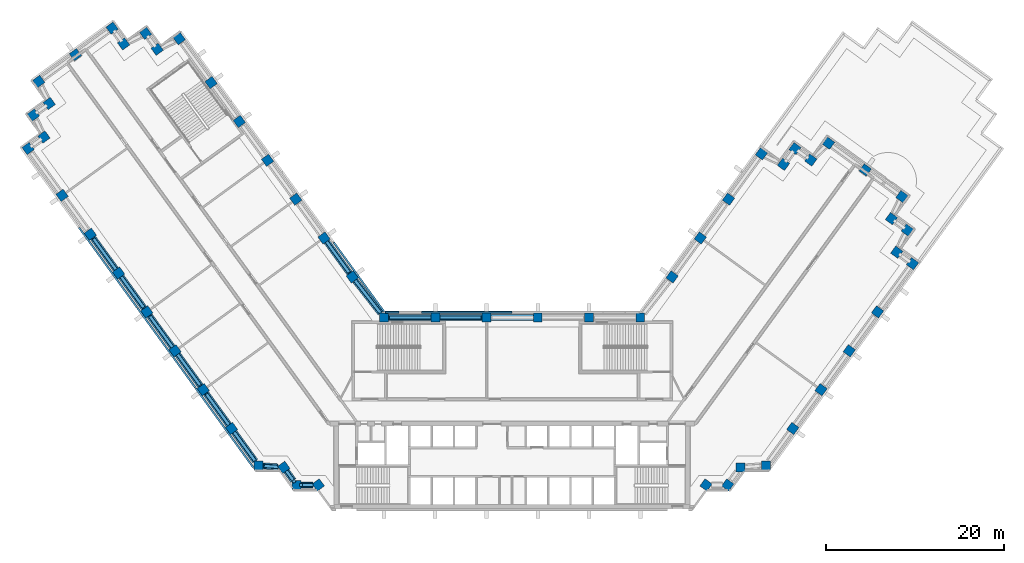
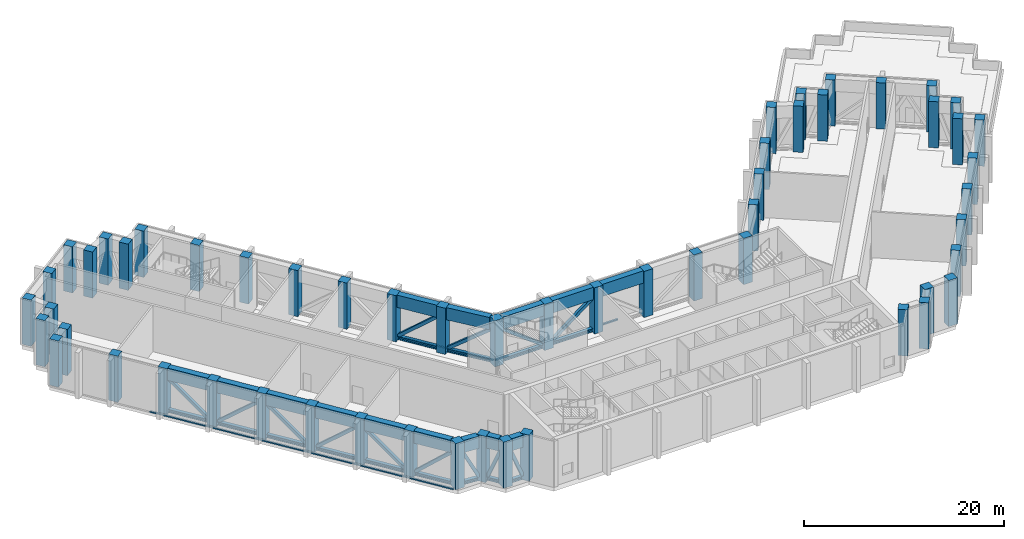
"""IFC4 building model written with IfcOpenShell, lengths in metres."""

from ifc_helpers import new_model, si_unit, direction, frame, origin, origin_2d, place, context, subcontext, project, spatial, rectangle, hollow_rectangle, i_section, extrude, material, material_profile, profile_set, type_object, element, aggregate, save


model = new_model("IFC4")

# Units and contexts
model_context = context("Model", 3, precision=1e-05, world=origin(), true_north=direction((0.0, 1.0)))
body_context = subcontext(model_context, "Body", "Model", "MODEL_VIEW")
ifc_project = project(units=[si_unit("LENGTHUNIT", "METRE"), si_unit("AREAUNIT", "SQUARE_METRE"), si_unit("VOLUMEUNIT", "CUBIC_METRE"), si_unit("PLANEANGLEUNIT", "RADIAN"), si_unit("MASSUNIT", "GRAM", prefix="KILO")], contexts=[model_context])

# Site, building, storey
site_placement = place(None, origin())
site = spatial("IfcSite", under=ifc_project, at=site_placement, CompositionType="ELEMENT")
building_placement = place(site_placement, origin())
building = spatial("IfcBuilding", under=site, at=building_placement, Name="Quipu Civic Tower", CompositionType="ELEMENT")
storey_1_placement = place(building_placement, frame((0.0, 0.0, 79.0)))
storey_1 = spatial("IfcBuildingStorey", under=building, at=storey_1_placement, Name="L18", CompositionType="ELEMENT", Elevation=79.0)

# Columns
ifc_material_1 = material(Name="Concrete C60/75", Category="concrete")
ifc_material_profile_1 = material_profile(ifc_material_1, rectangle(XDim=1.0, YDim=1.0, at=origin_2d()), Name="RC1000x1000")
ifc_profile_set_1 = profile_set([ifc_material_profile_1], Name="Concrete C60/75")
column_type = type_object("IfcColumnType", Name="Perimeter column RC 1000x1000 C60/75", PredefinedType="COLUMN", material=ifc_profile_set_1)
for number, where, z_axis, x_axis, name in (
    (1, (-17.9736328125, 15.074951171875, 0.0), (0.0, 0.0, 1.0), (-0.587785252292, 0.809016994375, 0.0), "Column L18 W-IN-01"),
    (2, (-21.1474609375, 19.44384765625, 0.0), (0.0, 0.0, 1.0), (-0.587785252292, 0.809016994375, 0.0), "Column L18 W-IN-02"),
    (3, (-24.3212890625, 23.8125, 0.0), (0.0, 0.0, 1.0), (-0.587785252292, 0.809016994375, 0.0), "Column L18 W-IN-03"),
    (4, (-27.4951171875, 28.181396484375, 0.0), (0.0, 0.0, 1.0), (-0.587785252292, 0.809016994375, 0.0), "Column L18 W-IN-04"),
    (5, (-30.6689453125, 32.55029296875, 0.0), (0.0, 0.0, 1.0), (-0.587785252292, 0.809016994375, 0.0), "Column L18 W-IN-05"),
    (6, (-33.843017578125, 36.919189453125, 0.0), (0.0, 0.0, 1.0), (-0.587785252292, 0.809016994375, 0.0), "Column L18 W-IN-06"),
    (7, (-37.425048828125, 41.85009765625, 0.0), (0.0, 0.0, 1.0), (-0.587785252292, 0.809016994375, 0.0), "Column L18 T-Wi.0-W50"),
    (8, (-39.905517578125, 40.666015625, 0.0), (0.0, 0.0, 1.0), (-0.587785252292, 0.809016994375, 0.0), "Column L18 T-Wi.1-W50"),
    (9, (-41.199951171875, 42.445068359375, 0.0), (0.0, 0.0, 1.0), (-0.587785252292, 0.809016994375, 0.0), "Column L18 T-Wi.2-W50"),
    (10, (-43.674560546875, 41.264892578125, 0.0), (0.0, 0.0, 1.0), (-0.809016994375, -0.587785252292, 0.0), "Column L18 T-Wi.3-W50"),
    (11, (-44.969970703125, 43.044921875, 0.0), (0.0, 0.0, 1.0), (-0.809016994375, -0.587785252292, 0.0), "Column L18 T-Wi.4-W50"),
    (12, (-49.095703125, 40.046875, 0.0), (0.0, 0.0, 1.0), (-0.809016994375, -0.587785252292, 0.0), "Column L18 TIP-W-01-W50"),
    (13, (-53.219970703125, 37.050048828125, 0.0), (0.0, 0.0, 1.0), (0.587785252292, -0.809016994375, 0.0), "Column L18 T-Wo.0-W50"),
    (14, (-52.038818359375, 34.571044921875, 0.0), (0.0, 0.0, 1.0), (-0.809016994375, -0.587785252292, 0.0), "Column L18 T-Wo.1-W50"),
    (15, (-53.820068359375, 33.27490234375, 0.0), (0.0, 0.0, 1.0), (0.587785252292, -0.809016994375, 0.0), "Column L18 T-Wo.2-W50"),
    (16, (-52.635986328125, 30.799560546875, 0.0), (0.0, 0.0, 1.0), (-0.809016994375, -0.587785252292, 0.0), "Column L18 T-Wo.3-W50"),
    (17, (-54.4150390625, 29.5048828125, 0.0), (0.0, 0.0, 1.0), (0.587785252292, -0.809016994375, 0.0), "Column L18 T-Wo.4-W50"),
    (18, (-50.59228515625, 24.243408203125, 0.0), (0.0, 0.0, 1.0), (0.587785252292, -0.809016994375, 0.0), "Column L18 W-OUT-07"),
    (19, (-47.41845703125, 19.874755859375, 0.0), (0.0, 0.0, 1.0), (0.587785252292, -0.809016994375, 0.0), "Column L18 W-OUT-06"),
    (20, (-44.244384765625, 15.506103515625, 0.0), (0.0, 0.0, 1.0), (0.587785252292, -0.809016994375, 0.0), "Column L18 W-OUT-05"),
    (21, (-41.0703125, 11.137451171875, 0.0), (0.0, 0.0, 1.0), (0.587785252292, -0.809016994375, 0.0), "Column L18 W-OUT-04"),
    (22, (-37.896240234375, 6.768798828125, 0.0), (0.0, 0.0, 1.0), (0.587785252292, -0.809016994375, 0.0), "Column L18 W-OUT-03"),
    (23, (-34.722412109375, 2.39990234375, 0.0), (0.0, 0.0, 1.0), (0.587785252292, -0.809016994375, 0.0), "Column L18 W-OUT-02"),
    (24, (-31.54833984375, -1.96875, 0.0), (0.0, 0.0, 1.0), (0.587785252292, -0.809016994375, 0.0), "Column L18 W-OUT-01"),
    (25, (-28.52490234375, -6.1298828125, 0.0), (0.0, 0.0, 1.0), (1.0, 0.0, 0.0), "Column L18 J-Wo.0"),
    (26, (-25.67431640625, -6.3369140625, 0.0), (0.0, 0.0, 1.0), (0.587785252292, -0.809016994375, 0.0), "Column L18 J-Wo.1"),
    (27, (-24.235107421875, -8.31494140625, 0.0), (0.0, 0.0, 1.0), (1.0, 0.0, 0.0), "Column L18 J-Wo.2"),
    (28, (-21.791748046875, -8.31494140625, 0.0), (0.0, 0.0, 1.0), (0.587785252292, -0.809016994375, 0.0), "Column L18 J-Wo.3"),
    (29, (21.791748046875, -8.31494140625, 0.0), (0.0, 0.0, 1.0), (0.587785252292, 0.809016994375, 0.0), "Column L18 J-Eo.1"),
    (30, (24.235107421875, -8.31494140625, 0.0), (0.0, 0.0, 1.0), (0.587785252292, 0.809016994375, 0.0), "Column L18 J-Eo.2"),
    (31, (25.67431640625, -6.3369140625, 0.0), (0.0, 0.0, 1.0), (1.0, 0.0, 0.0), "Column L18 J-Eo.3"),
    (32, (28.52490234375, -6.1298828125, 0.0), (0.0, 0.0, 1.0), (1.0, 0.0, 0.0), "Column L18 J-Eo.4"),
    (33, (31.54833984375, -1.96875, 0.0), (0.0, 0.0, 1.0), (0.587785252292, 0.809016994375, 0.0), "Column L18 E-OUT-01"),
    (34, (34.722412109375, 2.39990234375, 0.0), (0.0, 0.0, 1.0), (0.587785252292, 0.809016994375, 0.0), "Column L18 E-OUT-02"),
    (35, (37.896240234375, 6.768798828125, 0.0), (0.0, 0.0, 1.0), (0.587785252292, 0.809016994375, 0.0), "Column L18 E-OUT-03"),
    (36, (41.0703125, 11.137451171875, 0.0), (0.0, 0.0, 1.0), (0.587785252292, 0.809016994375, 0.0), "Column L18 E-OUT-04"),
    (37, (45.010009765625, 16.56005859375, 0.0), (0.0, 0.0, 1.0), (0.587785252292, 0.809016994375, 0.0), "Column L18 T-Eo.0-E34"),
    (38, (43.23095703125, 17.8544921875, 0.0), (0.0, 0.0, 1.0), (0.587785252292, 0.809016994375, 0.0), "Column L18 T-Eo.1-E34"),
    (39, (44.4150390625, 20.3349609375, 0.0), (0.0, 0.0, 1.0), (0.587785252292, 0.809016994375, 0.0), "Column L18 T-Eo.2-E34"),
    (40, (42.635009765625, 21.626220703125, 0.0), (0.0, 0.0, 1.0), (-0.809016994375, 0.587785252292, 0.0), "Column L18 T-Eo.3-E34"),
    (41, (43.81494140625, 24.10498046875, 0.0), (0.0, 0.0, 1.0), (-0.809016994375, 0.587785252292, 0.0), "Column L18 T-Eo.4-E34"),
    (42, (39.690673828125, 27.10205078125, 0.0), (0.0, 0.0, 1.0), (-0.809016994375, 0.587785252292, 0.0), "Column L18 TIP-E-01-E34"),
    (43, (35.56494140625, 30.10009765625, 0.0), (0.0, 0.0, 1.0), (-0.587785252292, -0.809016994375, 0.0), "Column L18 T-Ei.0-E34"),
    (44, (33.573974609375, 28.20947265625, 0.0), (0.0, 0.0, 1.0), (-0.809016994375, 0.587785252292, 0.0), "Column L18 T-Ei.1-E34"),
    (45, (31.794921875, 29.5, 0.0), (0.0, 0.0, 1.0), (-0.587785252292, -0.809016994375, 0.0), "Column L18 T-Ei.2-E34"),
    (46, (30.498779296875, 27.72265625, 0.0), (0.0, 0.0, 1.0), (-0.809016994375, 0.587785252292, 0.0), "Column L18 T-Ei.3-E34"),
    (47, (28.02001953125, 28.905029296875, 0.0), (0.0, 0.0, 1.0), (-0.809016994375, 0.587785252292, 0.0), "Column L18 T-Ei.4-E34"),
    (48, (24.3212890625, 23.8125, 0.0), (0.0, 0.0, 1.0), (-0.587785252292, -0.809016994375, 0.0), "Column L18 E-IN-03"),
    (49, (21.1474609375, 19.44384765625, 0.0), (0.0, 0.0, 1.0), (-0.587785252292, -0.809016994375, 0.0), "Column L18 E-IN-02"),
    (50, (17.9736328125, 15.074951171875, 0.0), (0.0, 0.0, 1.0), (-0.587785252292, -0.809016994375, 0.0), "Column L18 E-IN-01"),
    (51, (14.395263671875, 10.5, 0.0), (0.0, 0.0, 1.0), (-1.0, 0.0, 0.0), "Column L18 J-Ei.0"),
    (52, (8.63720703125, 10.5, 0.0), (0.0, 0.0, 1.0), (-1.0, 0.0, 0.0), "Column L18 FRONT-01"),
    (53, (2.87890625, 10.5, 0.0), (0.0, 0.0, 1.0), (-1.0, 0.0, 0.0), "Column L18 FRONT-02"),
    (54, (-2.87890625, 10.5, 0.0), (0.0, 0.0, 1.0), (-1.0, 0.0, 0.0), "Column L18 FRONT-03"),
    (55, (-8.63720703125, 10.5, 0.0), (0.0, 0.0, 1.0), (-1.0, 0.0, 0.0), "Column L18 FRONT-04"),
    (56, (-14.395263671875, 10.5, 0.0), (0.0, 0.0, 1.0), (-1.0, 0.0, 0.0), "Column L18 J-Wi.0"),
):
    element("IfcColumn", number, at=place(storey_1_placement, frame(where, z_axis=z_axis, x_axis=x_axis)), inside=storey_1, type_object=column_type, Name=name, PredefinedType="COLUMN", context=body_context, shape_type="SweptSolid", body=[
        extrude(rectangle(XDim=1.0, YDim=1.0, at=origin_2d()), origin(), (0.0, 0.0, 1.0), 5.64990234375),
    ])

# Beams
ifc_material_2 = material(Name="Steel ASTM A992 Grade 50 (fy 345 MPa)", Category="steel")
ifc_material_profile_2 = material_profile(ifc_material_2, i_section(OverallWidth=0.403564453125, OverallDepth=0.407470703125, WebThickness=0.027099609375, FlangeThickness=0.043701171875, at=origin_2d()), Name="W360x347")
ifc_profile_set_2 = profile_set([ifc_material_profile_2], Name="Steel ASTM A992 Grade 50 (fy 345 MPa)")
beam_type_1 = type_object("IfcBeamType", Name="Belt truss bottom chord W360x347", PredefinedType="BEAM", material=ifc_profile_set_2)
for number, where, z_axis, x_axis, name in (
    (57, (-18.267578125, 15.4794921875, 0.3037109375), (-0.587722908759, 0.809062285934, 0.0), (-0.809062285934, -0.587722908759, 0.0), "Truss bottom chord L18 W-IN-01 to W-IN-02"),
    (58, (-47.12451171875, 19.47021484375, 0.3037109375), (0.587785613349, -0.809016732052, 0.0), (0.809016732052, 0.587785613349, 0.0), "Truss bottom chord L18 W-OUT-06 to W-OUT-05"),
):
    element("IfcBeam", number, at=place(storey_1_placement, frame(where, z_axis=z_axis, x_axis=x_axis)), inside=storey_1, type_object=beam_type_1, Name=name, PredefinedType="BEAM", context=body_context, shape_type="SweptSolid", body=[
        extrude(i_section(OverallWidth=0.403564453125, OverallDepth=0.407470703125, WebThickness=0.027099609375, FlangeThickness=0.043701171875, at=origin_2d()), origin(), (0.0, 0.0, 1.0), 4.39990234375),
    ])
for number, where, z_axis, x_axis, name in (
    (59, (-43.950439453125, 15.101806640625, 0.3037109375), (0.587759228046, -0.809035901457, 0.0), (0.809035901457, 0.587759228046, 0.0), "Truss bottom chord L18 W-OUT-05 to W-OUT-04"),
    (60, (-40.776611328125, 10.73291015625, 0.3037109375), (0.58779554378, -0.809009517072, 0.0), (0.809009517072, 0.58779554378, 0.0), "Truss bottom chord L18 W-OUT-04 to W-OUT-03"),
    (61, (-37.602294921875, 6.3642578125, 0.3037109375), (0.587759228046, -0.809035901457, 0.0), (0.809035901457, 0.587759228046, 0.0), "Truss bottom chord L18 W-OUT-03 to W-OUT-02"),
    (62, (-34.428466796875, 1.99560546875, 0.3037109375), (0.587759228046, -0.809035901457, 0.0), (0.809035901457, 0.587759228046, 0.0), "Truss bottom chord L18 W-OUT-02 to W-OUT-01"),
):
    element("IfcBeam", number, at=place(storey_1_placement, frame(where, z_axis=z_axis, x_axis=x_axis)), inside=storey_1, type_object=beam_type_1, Name=name, PredefinedType="BEAM", context=body_context, shape_type="SweptSolid", body=[
        extrude(i_section(OverallWidth=0.403564453125, OverallDepth=0.407470703125, WebThickness=0.027099609375, FlangeThickness=0.043701171875, at=origin_2d()), origin(), (0.0, 0.0, 1.0), 4.400146484375),
    ])
beam_1_placement = place(storey_1_placement, frame((-31.25439453125, -2.373291015625, 0.3037109375), z_axis=(0.587811022966, -0.808998270258, 0.0), x_axis=(0.808998270258, 0.587811022966, 0.0)))
element("IfcBeam", 63, at=beam_1_placement, inside=storey_1, type_object=beam_type_1, Name="Truss bottom chord L18 W-OUT-01 to J-Wo.0", PredefinedType="BEAM", context=body_context, shape_type="SweptSolid", body=[
    extrude(i_section(OverallWidth=0.403564453125, OverallDepth=0.407470703125, WebThickness=0.027099609375, FlangeThickness=0.043701171875, at=origin_2d()), origin(), (0.0, 0.0, 1.0), 4.025390625),
])
beam_2_placement = place(storey_1_placement, frame((-28.02490234375, -6.166259765625, 0.3037109375), z_axis=(0.99737429836, -0.072418982124, 0.0), x_axis=(0.072418982124, 0.99737429836, 0.0)))
element("IfcBeam", 64, at=beam_2_placement, inside=storey_1, type_object=beam_type_1, Name="Truss bottom chord L18 J-Wo.0 to J-Wo.1", PredefinedType="BEAM", context=body_context, shape_type="SweptSolid", body=[
    extrude(i_section(OverallWidth=0.403564453125, OverallDepth=0.407470703125, WebThickness=0.027099609375, FlangeThickness=0.043701171875, at=origin_2d()), origin(), (0.0, 0.0, 1.0), 1.702392578125),
])
beam_3_placement = place(storey_1_placement, frame((-25.380126953125, -6.7412109375, 0.3037109375), z_axis=(0.588346597772, -0.808608855313, 0.0), x_axis=(0.808608855313, 0.588346597772, 0.0)))
element("IfcBeam", 65, at=beam_3_placement, inside=storey_1, type_object=beam_type_1, Name="Truss bottom chord L18 J-Wo.1 to J-Wo.2", PredefinedType="BEAM", context=body_context, shape_type="SweptSolid", body=[
    extrude(i_section(OverallWidth=0.403564453125, OverallDepth=0.407470703125, WebThickness=0.027099609375, FlangeThickness=0.043701171875, at=origin_2d()), origin(), (0.0, 0.0, 1.0), 1.327880859375),
])
beam_4_placement = place(storey_1_placement, frame((-23.735107421875, -8.31494140625, 0.3037109375), z_axis=(1.0, 0.0, 0.0), x_axis=(0.0, 1.0, 0.0)))
element("IfcBeam", 66, at=beam_4_placement, inside=storey_1, type_object=beam_type_1, Name="Truss bottom chord L18 J-Wo.2 to J-Wo.3", PredefinedType="BEAM", context=body_context, shape_type="SweptSolid", body=[
    extrude(i_section(OverallWidth=0.403564453125, OverallDepth=0.407470703125, WebThickness=0.027099609375, FlangeThickness=0.043701171875, at=origin_2d()), origin(), (0.0, 0.0, 1.0), 1.3251953125),
])
beam_5_placement = place(storey_1_placement, frame((-3.37890625, 10.5, 0.3037109375), z_axis=(-1.0, 0.0, 0.0), x_axis=(0.0, -1.0, 0.0)))
element("IfcBeam", 67, at=beam_5_placement, inside=storey_1, type_object=beam_type_1, Name="Truss bottom chord L18 FRONT-03 to FRONT-04", PredefinedType="BEAM", context=body_context, shape_type="SweptSolid", body=[
    extrude(i_section(OverallWidth=0.403564453125, OverallDepth=0.407470703125, WebThickness=0.027099609375, FlangeThickness=0.043701171875, at=origin_2d()), origin(), (0.0, 0.0, 1.0), 4.75830078125),
])
beam_6_placement = place(storey_1_placement, frame((-9.13720703125, 10.5, 0.3037109375), z_axis=(-1.0, 0.0, 0.0), x_axis=(0.0, -1.0, 0.0)))
element("IfcBeam", 68, at=beam_6_placement, inside=storey_1, type_object=beam_type_1, Name="Truss bottom chord L18 FRONT-04 to J-Wi.0", PredefinedType="BEAM", context=body_context, shape_type="SweptSolid", body=[
    extrude(i_section(OverallWidth=0.403564453125, OverallDepth=0.407470703125, WebThickness=0.027099609375, FlangeThickness=0.043701171875, at=origin_2d()), origin(), (0.0, 0.0, 1.0), 4.758056640625),
])
beam_7_placement = place(storey_1_placement, frame((-14.786376953125, 11.0, 0.3037109375), z_axis=(-0.616068753057, 0.787692383806, 0.0), x_axis=(-0.787692383806, -0.616068753057, 0.0)))
element("IfcBeam", 69, at=beam_7_placement, inside=storey_1, type_object=beam_type_1, Name="Truss bottom chord L18 J-Wi.0 to W-IN-01", PredefinedType="BEAM", context=body_context, shape_type="SweptSolid", body=[
    extrude(i_section(OverallWidth=0.403564453125, OverallDepth=0.407470703125, WebThickness=0.027099609375, FlangeThickness=0.043701171875, at=origin_2d()), origin(), (0.0, 0.0, 1.0), 4.673095703125),
])

# Members
ifc_material_3 = material(Name="Steel ASTM A500 Grade C (fy 345 MPa)", Category="steel")
ifc_material_profile_3 = material_profile(ifc_material_3, hollow_rectangle(XDim=0.355712890625, YDim=0.355712890625, WallThickness=0.015869140625, at=origin_2d()), Name="HSS356x356x16")
ifc_profile_set_3 = profile_set([ifc_material_profile_3], Name="Steel ASTM A500 Grade C (fy 345 MPa)")
member_type_1 = type_object("IfcMemberType", Name="Belt truss diagonal HSS356x356x16", PredefinedType="BRACE", material=ifc_profile_set_3)
member_1_placement = place(storey_1_placement, frame((-18.267578125, 15.4794921875, 4.14990234375), z_axis=(-0.452714717706, 0.62320933713, -0.637698601603), x_axis=(-0.809062285934, -0.587722908759, 0.0)))
element("IfcMember", 70, at=member_1_placement, inside=storey_1, type_object=member_type_1, Name="Truss diagonal L18 W-IN-01 to W-IN-02", PredefinedType="BRACE", context=body_context, shape_type="SweptSolid", body=[
    extrude(hollow_rectangle(XDim=0.355712890625, YDim=0.355712890625, WallThickness=0.015869140625, at=origin_2d()), origin(), (0.0, 0.0, 1.0), 5.712158203125),
])
member_2_placement = place(storey_1_placement, frame((-47.12451171875, 19.47021484375, 4.14990234375), z_axis=(0.452760757417, -0.623171135952, -0.63770324749), x_axis=(0.809016732052, 0.587785613349, 0.0)))
element("IfcMember", 71, at=member_2_placement, inside=storey_1, type_object=member_type_1, Name="Truss diagonal L18 W-OUT-06 to W-OUT-05", PredefinedType="BRACE", context=body_context, shape_type="SweptSolid", body=[
    extrude(hollow_rectangle(XDim=0.355712890625, YDim=0.355712890625, WallThickness=0.015869140625, at=origin_2d()), origin(), (0.0, 0.0, 1.0), 5.7119140625),
])
member_3_placement = place(storey_1_placement, frame((-43.950439453125, 15.101806640625, 0.50732421875), z_axis=(0.452748698079, -0.623197278079, 0.637686262187), x_axis=(0.809035901457, 0.587759228046, 0.0)))
element("IfcMember", 72, at=member_3_placement, inside=storey_1, type_object=member_type_1, Name="Truss diagonal L18 W-OUT-05 to W-OUT-04", PredefinedType="BRACE", context=body_context, shape_type="SweptSolid", body=[
    extrude(hollow_rectangle(XDim=0.355712890625, YDim=0.355712890625, WallThickness=0.015869140625, at=origin_2d()), origin(), (0.0, 0.0, 1.0), 5.712158203125),
])
member_4_placement = place(storey_1_placement, frame((-40.776611328125, 10.73291015625, 4.14990234375), z_axis=(0.45278267648, -0.623185218591, -0.637673922322), x_axis=(0.809009517072, 0.58779554378, 0.0)))
element("IfcMember", 73, at=member_4_placement, inside=storey_1, type_object=member_type_1, Name="Truss diagonal L18 W-OUT-04 to W-OUT-03", PredefinedType="BRACE", context=body_context, shape_type="SweptSolid", body=[
    extrude(hollow_rectangle(XDim=0.355712890625, YDim=0.355712890625, WallThickness=0.015869140625, at=origin_2d()), origin(), (0.0, 0.0, 1.0), 5.71240234375),
])
for number, where, z_axis, x_axis, name in (
    (74, (-37.602294921875, 6.3642578125, 0.50732421875), (0.452748698079, -0.623197278079, 0.637686262187), (0.809035901457, 0.587759228046, 0.0), "Truss diagonal L18 W-OUT-03 to W-OUT-02"),
    (75, (-34.428466796875, 1.99560546875, 4.14990234375), (0.452748698079, -0.623197278079, -0.637686262187), (0.809035901457, 0.587759228046, 0.0), "Truss diagonal L18 W-OUT-02 to W-OUT-01"),
):
    element("IfcMember", number, at=place(storey_1_placement, frame(where, z_axis=z_axis, x_axis=x_axis)), inside=storey_1, type_object=member_type_1, Name=name, PredefinedType="BRACE", context=body_context, shape_type="SweptSolid", body=[
        extrude(hollow_rectangle(XDim=0.355712890625, YDim=0.355712890625, WallThickness=0.015869140625, at=origin_2d()), origin(), (0.0, 0.0, 1.0), 5.712158203125),
    ])
member_5_placement = place(storey_1_placement, frame((-31.25439453125, -2.373291015625, 0.50732421875), z_axis=(0.441455975889, -0.607621492075, 0.66023688455), x_axis=(0.809021349778, 0.587779257548, 0.0)))
element("IfcMember", 76, at=member_5_placement, inside=storey_1, type_object=member_type_1, Name="Truss diagonal L18 W-OUT-01 to J-Wo.0", PredefinedType="BRACE", context=body_context, shape_type="SweptSolid", body=[
    extrude(hollow_rectangle(XDim=0.355712890625, YDim=0.355712890625, WallThickness=0.015869140625, at=origin_2d()), origin(), (0.0, 0.0, 1.0), 5.51708984375),
])
member_6_placement = place(storey_1_placement, frame((-28.0263671875, -6.166259765625, 4.14990234375), z_axis=(0.453217629686, -0.032897235405, -0.890792653789), x_axis=(0.072395491772, 0.997376003707, 0.0)))
element("IfcMember", 77, at=member_6_placement, inside=storey_1, type_object=member_type_1, Name="Truss diagonal L18 J-Wo.0 to J-Wo.1", PredefinedType="BRACE", context=body_context, shape_type="SweptSolid", body=[
    extrude(hollow_rectangle(XDim=0.355712890625, YDim=0.355712890625, WallThickness=0.015869140625, at=origin_2d()), origin(), (0.0, 0.0, 1.0), 4.089111328125),
])
member_7_placement = place(storey_1_placement, frame((-25.380126953125, -6.7412109375, 0.50732421875), z_axis=(0.217094677225, -0.298388379887, 0.929426853426), x_axis=(0.808626568298, 0.588322252718, 0.0)))
element("IfcMember", 78, at=member_7_placement, inside=storey_1, type_object=member_type_1, Name="Truss diagonal L18 J-Wo.1 to J-Wo.2", PredefinedType="BRACE", context=body_context, shape_type="SweptSolid", body=[
    extrude(hollow_rectangle(XDim=0.355712890625, YDim=0.355712890625, WallThickness=0.015869140625, at=origin_2d()), origin(), (0.0, 0.0, 1.0), 3.919189453125),
])
member_8_placement = place(storey_1_placement, frame((-23.735107421875, -8.31494140625, 4.14990234375), z_axis=(0.368380626342, 0.0, -0.92967505836), x_axis=(0.0, 1.0, 0.0)))
element("IfcMember", 79, at=member_8_placement, inside=storey_1, type_object=member_type_1, Name="Truss diagonal L18 J-Wo.2 to J-Wo.3", PredefinedType="BRACE", context=body_context, shape_type="SweptSolid", body=[
    extrude(hollow_rectangle(XDim=0.355712890625, YDim=0.355712890625, WallThickness=0.015869140625, at=origin_2d()), origin(), (0.0, 0.0, 1.0), 3.918212890625),
])
member_9_placement = place(storey_1_placement, frame((-3.37890625, 10.5, 4.14990234375), z_axis=(-0.794045497642, 0.0, -0.607858328621), x_axis=(0.0, -1.0, 0.0)))
element("IfcMember", 80, at=member_9_placement, inside=storey_1, type_object=member_type_1, Name="Truss diagonal L18 FRONT-03 to FRONT-04", PredefinedType="BRACE", context=body_context, shape_type="SweptSolid", body=[
    extrude(hollow_rectangle(XDim=0.355712890625, YDim=0.355712890625, WallThickness=0.015869140625, at=origin_2d()), origin(), (0.0, 0.0, 1.0), 5.992431640625),
])
member_10_placement = place(storey_1_placement, frame((-9.13720703125, 10.5, 0.50732421875), z_axis=(-0.794030443384, 0.0, 0.607877993498), x_axis=(0.0, -1.0, 0.0)))
element("IfcMember", 81, at=member_10_placement, inside=storey_1, type_object=member_type_1, Name="Truss diagonal L18 FRONT-04 to J-Wi.0", PredefinedType="BRACE", context=body_context, shape_type="SweptSolid", body=[
    extrude(hollow_rectangle(XDim=0.355712890625, YDim=0.355712890625, WallThickness=0.015869140625, at=origin_2d()), origin(), (0.0, 0.0, 1.0), 5.9921875),
])
member_11_placement = place(storey_1_placement, frame((-14.703125, 10.893798828125, 4.14990234375), z_axis=(-0.491092678608, 0.62784907889, -0.603848917491), x_axis=(-0.787667833493, -0.616100141276, 0.0)))
element("IfcMember", 82, at=member_11_placement, inside=storey_1, type_object=member_type_1, Name="Truss diagonal L18 J-Wi.0 to W-IN-01", PredefinedType="BRACE", context=body_context, shape_type="SweptSolid", body=[
    extrude(hollow_rectangle(XDim=0.355712890625, YDim=0.355712890625, WallThickness=0.015869140625, at=origin_2d()), origin(), (0.0, 0.0, 1.0), 6.0322265625),
])

# Beams
ifc_material_4 = material(Name="Steel ASTM A572 Grade 50 (fy 345 MPa)", Category="steel")
ifc_material_profile_4 = material_profile(ifc_material_4, hollow_rectangle(XDim=0.699951171875, YDim=1.5, WallThickness=0.050048828125, at=origin_2d()), Name="BX1500x700x50")
ifc_profile_set_4 = profile_set([ifc_material_profile_4], Name="Steel ASTM A572 Grade 50 (fy 345 MPa)")
beam_type_2 = type_object("IfcBeamType", Name="Belt truss top chord BX1500x700x50", PredefinedType="BEAM", material=ifc_profile_set_4)
for number, where, z_axis, x_axis, name in (
    (83, (-18.267578125, 15.4794921875, 4.89990234375), (-0.587722908759, 0.809062285934, 0.0), (-0.809062285934, -0.587722908759, 0.0), "Truss top chord L18 W-IN-01 to W-IN-02"),
    (84, (-47.12451171875, 19.47021484375, 4.89990234375), (0.587785613349, -0.809016732052, 0.0), (0.809016732052, 0.587785613349, 0.0), "Truss top chord L18 W-OUT-06 to W-OUT-05"),
):
    element("IfcBeam", number, at=place(storey_1_placement, frame(where, z_axis=z_axis, x_axis=x_axis)), inside=storey_1, type_object=beam_type_2, Name=name, PredefinedType="BEAM", context=body_context, shape_type="SweptSolid", body=[
        extrude(hollow_rectangle(XDim=0.699951171875, YDim=1.5, WallThickness=0.050048828125, at=origin_2d()), origin(), (0.0, 0.0, 1.0), 4.39990234375),
    ])
for number, where, z_axis, x_axis, name in (
    (85, (-43.950439453125, 15.101806640625, 4.89990234375), (0.587759228046, -0.809035901457, 0.0), (0.809035901457, 0.587759228046, 0.0), "Truss top chord L18 W-OUT-05 to W-OUT-04"),
    (86, (-40.776611328125, 10.73291015625, 4.89990234375), (0.58779554378, -0.809009517072, 0.0), (0.809009517072, 0.58779554378, 0.0), "Truss top chord L18 W-OUT-04 to W-OUT-03"),
    (87, (-37.602294921875, 6.3642578125, 4.89990234375), (0.587759228046, -0.809035901457, 0.0), (0.809035901457, 0.587759228046, 0.0), "Truss top chord L18 W-OUT-03 to W-OUT-02"),
    (88, (-34.428466796875, 1.99560546875, 4.89990234375), (0.587759228046, -0.809035901457, 0.0), (0.809035901457, 0.587759228046, 0.0), "Truss top chord L18 W-OUT-02 to W-OUT-01"),
):
    element("IfcBeam", number, at=place(storey_1_placement, frame(where, z_axis=z_axis, x_axis=x_axis)), inside=storey_1, type_object=beam_type_2, Name=name, PredefinedType="BEAM", context=body_context, shape_type="SweptSolid", body=[
        extrude(hollow_rectangle(XDim=0.699951171875, YDim=1.5, WallThickness=0.050048828125, at=origin_2d()), origin(), (0.0, 0.0, 1.0), 4.400146484375),
    ])
beam_8_placement = place(storey_1_placement, frame((-31.25439453125, -2.373291015625, 4.89990234375), z_axis=(0.587811022966, -0.808998270258, 0.0), x_axis=(0.808998270258, 0.587811022966, 0.0)))
element("IfcBeam", 89, at=beam_8_placement, inside=storey_1, type_object=beam_type_2, Name="Truss top chord L18 W-OUT-01 to J-Wo.0", PredefinedType="BEAM", context=body_context, shape_type="SweptSolid", body=[
    extrude(hollow_rectangle(XDim=0.699951171875, YDim=1.5, WallThickness=0.050048828125, at=origin_2d()), origin(), (0.0, 0.0, 1.0), 4.025390625),
])
beam_9_placement = place(storey_1_placement, frame((-28.02490234375, -6.166259765625, 4.89990234375), z_axis=(0.99737429836, -0.072418982124, 0.0), x_axis=(0.072418982124, 0.99737429836, 0.0)))
element("IfcBeam", 90, at=beam_9_placement, inside=storey_1, type_object=beam_type_2, Name="Truss top chord L18 J-Wo.0 to J-Wo.1", PredefinedType="BEAM", context=body_context, shape_type="SweptSolid", body=[
    extrude(hollow_rectangle(XDim=0.699951171875, YDim=1.5, WallThickness=0.050048828125, at=origin_2d()), origin(), (0.0, 0.0, 1.0), 1.702392578125),
])
beam_10_placement = place(storey_1_placement, frame((-25.380126953125, -6.7412109375, 4.89990234375), z_axis=(0.588346597772, -0.808608855313, 0.0), x_axis=(0.808608855313, 0.588346597772, 0.0)))
element("IfcBeam", 91, at=beam_10_placement, inside=storey_1, type_object=beam_type_2, Name="Truss top chord L18 J-Wo.1 to J-Wo.2", PredefinedType="BEAM", context=body_context, shape_type="SweptSolid", body=[
    extrude(hollow_rectangle(XDim=0.699951171875, YDim=1.5, WallThickness=0.050048828125, at=origin_2d()), origin(), (0.0, 0.0, 1.0), 1.327880859375),
])
beam_11_placement = place(storey_1_placement, frame((-23.735107421875, -8.31494140625, 4.89990234375), z_axis=(1.0, 0.0, 0.0), x_axis=(0.0, 1.0, 0.0)))
element("IfcBeam", 92, at=beam_11_placement, inside=storey_1, type_object=beam_type_2, Name="Truss top chord L18 J-Wo.2 to J-Wo.3", PredefinedType="BEAM", context=body_context, shape_type="SweptSolid", body=[
    extrude(hollow_rectangle(XDim=0.699951171875, YDim=1.5, WallThickness=0.050048828125, at=origin_2d()), origin(), (0.0, 0.0, 1.0), 1.3251953125),
])
beam_12_placement = place(storey_1_placement, frame((2.37890625, 10.5, 4.89990234375), z_axis=(-1.0, 0.0, 0.0), x_axis=(0.0, -1.0, 0.0)))
element("IfcBeam", 93, at=beam_12_placement, inside=storey_1, type_object=beam_type_2, Name="Truss top chord L18 FRONT-02 to FRONT-03", PredefinedType="BEAM", context=body_context, shape_type="SweptSolid", body=[
    extrude(hollow_rectangle(XDim=0.699951171875, YDim=1.5, WallThickness=0.050048828125, at=origin_2d()), origin(), (0.0, 0.0, 1.0), 4.7578125),
])
beam_13_placement = place(storey_1_placement, frame((-3.37890625, 10.5, 4.89990234375), z_axis=(-1.0, 0.0, 0.0), x_axis=(0.0, -1.0, 0.0)))
element("IfcBeam", 94, at=beam_13_placement, inside=storey_1, type_object=beam_type_2, Name="Truss top chord L18 FRONT-03 to FRONT-04", PredefinedType="BEAM", context=body_context, shape_type="SweptSolid", body=[
    extrude(hollow_rectangle(XDim=0.699951171875, YDim=1.5, WallThickness=0.050048828125, at=origin_2d()), origin(), (0.0, 0.0, 1.0), 4.75830078125),
])
beam_14_placement = place(storey_1_placement, frame((-9.13720703125, 10.5, 4.89990234375), z_axis=(-1.0, 0.0, 0.0), x_axis=(0.0, -1.0, 0.0)))
element("IfcBeam", 95, at=beam_14_placement, inside=storey_1, type_object=beam_type_2, Name="Truss top chord L18 FRONT-04 to J-Wi.0", PredefinedType="BEAM", context=body_context, shape_type="SweptSolid", body=[
    extrude(hollow_rectangle(XDim=0.699951171875, YDim=1.5, WallThickness=0.050048828125, at=origin_2d()), origin(), (0.0, 0.0, 1.0), 4.758056640625),
])
beam_15_placement = place(storey_1_placement, frame((-14.786376953125, 11.0, 4.89990234375), z_axis=(-0.616068753057, 0.787692383806, 0.0), x_axis=(-0.787692383806, -0.616068753057, 0.0)))
element("IfcBeam", 96, at=beam_15_placement, inside=storey_1, type_object=beam_type_2, Name="Truss top chord L18 J-Wi.0 to W-IN-01", PredefinedType="BEAM", context=body_context, shape_type="SweptSolid", body=[
    extrude(hollow_rectangle(XDim=0.699951171875, YDim=1.5, WallThickness=0.050048828125, at=origin_2d()), origin(), (0.0, 0.0, 1.0), 4.673095703125),
])

# Storey
storey_2_placement = place(building_placement, frame((0.0, 0.0, 71.0)))
storey_2 = spatial("IfcBuildingStorey", under=building, at=storey_2_placement, Name="L16", CompositionType="ELEMENT", Elevation=71.0)

# Curtain wall, member
ifc_material_5 = material(Name="Insulated glass unit", Category="glass")
curtain_wall_type = type_object("IfcCurtainWallType", Name="Office curtain wall CW1", PredefinedType="NOTDEFINED", material=ifc_material_5)
curtain_wall_1_placement = place(storey_2_placement, origin())
curtain_wall_1 = element("IfcCurtainWall", 97, at=curtain_wall_1_placement, inside=storey_2, type_object=curtain_wall_type, Name="Office curtain wall CW1 L15 run 1", PredefinedType="NOTDEFINED")
ifc_material_6 = material(Name="Anodised aluminium", Category="aluminium")
ifc_material_profile_5 = material_profile(ifc_material_6, rectangle(XDim=0.199951171875, YDim=0.159912109375, at=origin_2d()), Name="RECT 200x160")
ifc_profile_set_5 = profile_set([ifc_material_profile_5], Name="Anodised aluminium")
member_type_2 = type_object("IfcMemberType", Name="Transom CW1", PredefinedType="USERDEFINED", material=ifc_profile_set_5)
member_12_placement = place(storey_1_placement, frame((-14.39111328125, 11.164794921875, 0.0), z_axis=(-0.58779220199, 0.809011945079, 0.0), x_axis=(-0.809011945079, -0.58779220199, 0.0)))
member_12 = element("IfcMember", 98, at=member_12_placement, inside=storey_1, type_object=member_type_2, Name="CW1 transom 1.4", ObjectType="TRANSOM", PredefinedType="USERDEFINED", context=body_context, shape_type="SweptSolid", body=[
    extrude(rectangle(XDim=0.199951171875, YDim=0.159912109375, at=origin_2d()), origin(), (0.0, 0.0, 1.0), 9.64111328125),
])
aggregate(curtain_wall_1, [member_12])

# Curtain wall, members
curtain_wall_2_placement = place(storey_2_placement, origin())
curtain_wall_2 = element("IfcCurtainWall", 99, at=curtain_wall_2_placement, inside=storey_2, type_object=curtain_wall_type, Name="Office curtain wall CW1 L15 run 8", PredefinedType="NOTDEFINED")
member_13_placement = place(storey_1_placement, frame((-48.68115234375, 20.591552734375, 0.0), z_axis=(0.587795037589, -0.80900988485, 0.0), x_axis=(0.80900988485, 0.587795037589, 0.0)))
member_13 = element("IfcMember", 100, at=member_13_placement, inside=storey_1, type_object=member_type_2, Name="CW1 transom 2.4", ObjectType="TRANSOM", PredefinedType="USERDEFINED", context=body_context, shape_type="SweptSolid", body=[
    extrude(rectangle(XDim=0.199951171875, YDim=0.159912109375, at=origin_2d()), origin(), (0.0, 0.0, 1.0), 11.062744140625),
])
member_14_placement = place(storey_1_placement, frame((-42.131591796875, 11.576904296875, 0.0), z_axis=(0.587795037589, -0.80900988485, 0.0), x_axis=(0.80900988485, 0.587795037589, 0.0)))
member_14 = element("IfcMember", 101, at=member_14_placement, inside=storey_1, type_object=member_type_2, Name="CW1 transom 3.4", ObjectType="TRANSOM", PredefinedType="USERDEFINED", context=body_context, shape_type="SweptSolid", body=[
    extrude(rectangle(XDim=0.199951171875, YDim=0.159912109375, at=origin_2d()), origin(), (0.0, 0.0, 1.0), 11.062744140625),
])
member_15_placement = place(storey_1_placement, frame((-35.58203125, 2.562255859375, 0.0), z_axis=(0.587779179422, -0.809021406539, 0.0), x_axis=(0.809021406539, 0.587779179422, 0.0)))
member_15 = element("IfcMember", 102, at=member_15_placement, inside=storey_1, type_object=member_type_2, Name="CW1 transom 4.4", ObjectType="TRANSOM", PredefinedType="USERDEFINED", context=body_context, shape_type="SweptSolid", body=[
    extrude(rectangle(XDim=0.199951171875, YDim=0.159912109375, at=origin_2d()), origin(), (0.0, 0.0, 1.0), 11.02294921875),
])
aggregate(curtain_wall_2, [member_13, member_14, member_15])

# Curtain wall, member
curtain_wall_3_placement = place(storey_2_placement, origin())
curtain_wall_3 = element("IfcCurtainWall", 103, at=curtain_wall_3_placement, inside=storey_2, type_object=curtain_wall_type, Name="Office curtain wall CW1 L15 run 33", PredefinedType="NOTDEFINED")
member_16_placement = place(storey_1_placement, frame((-0.0400390625, 11.10009765625, 0.0), z_axis=(-1.0, 0.0, 0.0), x_axis=(0.0, -1.0, 0.0)))
member_16 = element("IfcMember", 104, at=member_16_placement, inside=storey_1, type_object=member_type_2, Name="CW1 transom 2.4", ObjectType="TRANSOM", PredefinedType="USERDEFINED", context=body_context, shape_type="SweptSolid", body=[
    extrude(rectangle(XDim=0.199951171875, YDim=0.159912109375, at=origin_2d()), origin(), (0.0, 0.0, 1.0), 10.1435546875),
])
aggregate(curtain_wall_3, [member_16])

curtain_wall_4_placement = place(storey_2_placement, origin())
curtain_wall_4 = element("IfcCurtainWall", 105, at=curtain_wall_4_placement, inside=storey_2, type_object=curtain_wall_type, Name="Office curtain wall CW1 L15 run 35", PredefinedType="NOTDEFINED")
member_17_placement = place(storey_1_placement, frame((-12.735107421875, 11.10009765625, 0.0), z_axis=(-1.0, 0.0, 0.0), x_axis=(0.0, -1.0, 0.0)))
member_17 = element("IfcMember", 106, at=member_17_placement, inside=storey_1, type_object=member_type_2, Name="CW1 transom 1.4", ObjectType="TRANSOM", PredefinedType="USERDEFINED", context=body_context, shape_type="SweptSolid", body=[
    extrude(rectangle(XDim=0.199951171875, YDim=0.159912109375, at=origin_2d()), origin(), (0.0, 0.0, 1.0), 1.529052734375),
])
aggregate(curtain_wall_4, [member_17])

save(model, "model.ifc")
